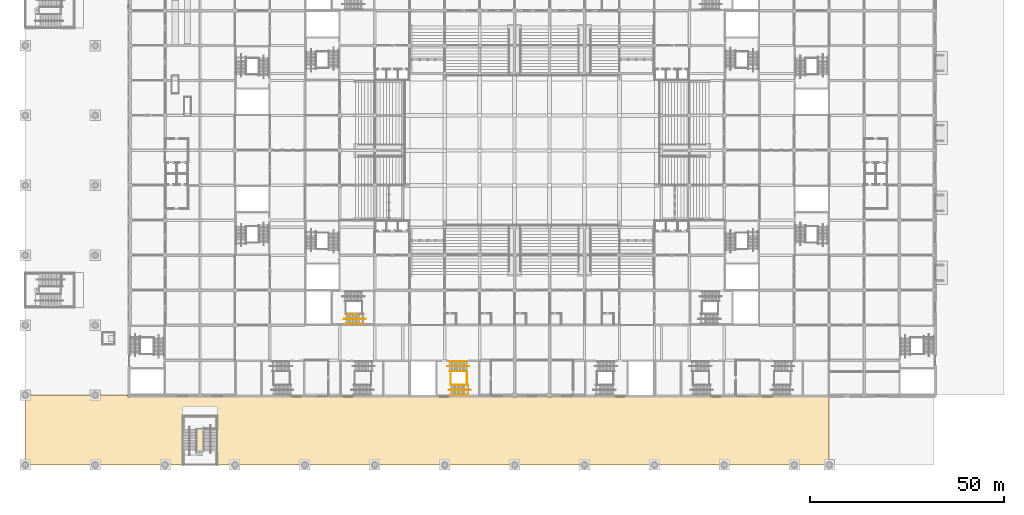
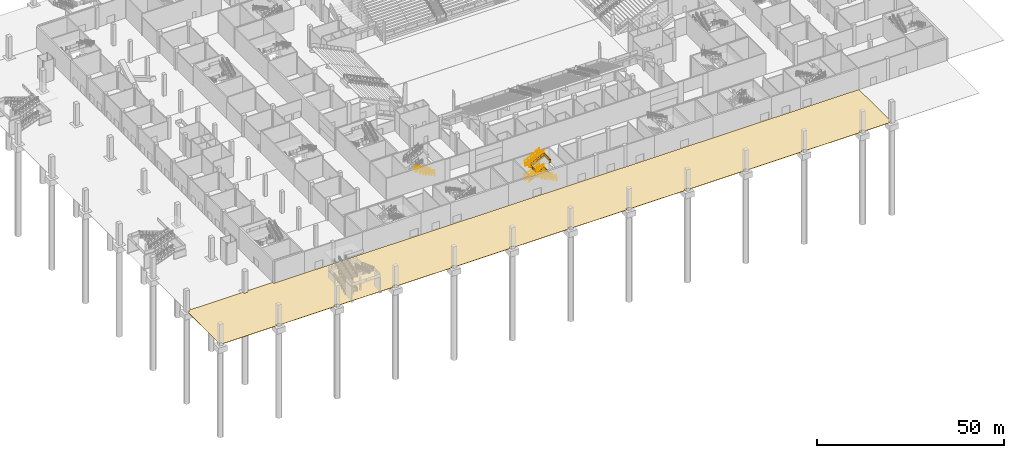
# One storey, part 58 of 92: 18 railings, 1 covering.
"""IFC4 building model written with IfcOpenShell, lengths in metres."""

from ifc_helpers import new_model, si_unit, direction, frame, origin, origin_2d, place, context, subcontext, project, spatial, polyline, circle, outline, extrude, material, layer, layer_set, type_object, element, save


model = new_model("IFC4")

# Units and contexts
model_context = context("Model", 3, precision=1e-05, world=origin(), true_north=direction((0.0, 1.0)))
body_context = subcontext(model_context, "Body", "Model", "MODEL_VIEW")
ifc_project = project(units=[si_unit("LENGTHUNIT", "METRE"), si_unit("AREAUNIT", "SQUARE_METRE"), si_unit("VOLUMEUNIT", "CUBIC_METRE"), si_unit("PLANEANGLEUNIT", "RADIAN"), si_unit("MASSUNIT", "GRAM", prefix="KILO")], contexts=[model_context])

# Site, building, storey
site_placement = place(None, origin())
site = spatial("IfcSite", under=ifc_project, at=site_placement, CompositionType="ELEMENT")
building_placement = place(site_placement, origin())
building = spatial("IfcBuilding", under=site, at=building_placement, Name="Silverbay Arena", CompositionType="ELEMENT")
storey_placement = place(building_placement, origin())
storey = spatial("IfcBuildingStorey", under=building, at=storey_placement, Name="L00", CompositionType="ELEMENT", Elevation=0.0)

# Covering
ifc_material_1 = material(Name="Granite paving slabs", Category="masonry")
ifc_layer = layer(ifc_material_1, 0.10009765625)
ifc_layer_set = layer_set([ifc_layer], Name="Granite paving slabs")
covering_type = type_object("IfcCoveringType", Name="Granite paving 100", PredefinedType="FLOORING", material=ifc_layer_set)
covering_placement = place(storey_placement, frame((0.0, 0.0, -0.10009765625)))
element("IfcCovering", 1, at=covering_placement, inside=storey, type_object=covering_type, Name="Paving south colonnade undercroft", PredefinedType="FLOORING", context=body_context, shape_type="SweptSolid", body=[
    extrude(outline(polyline([(198.60009765625, 0.0), (198.60009765625, 0.60009765625), (197.39990234375, 0.60009765625), (197.39990234375, 0.0), (180.60009765625, 0.0), (180.60009765625, 0.60009765625), (179.39990234375, 0.60009765625), (179.39990234375, 0.0), (162.60009765625, 0.0), (162.60009765625, 0.60009765625), (161.39990234375, 0.60009765625), (161.39990234375, 0.0), (144.60009765625, 0.0), (144.60009765625, 0.60009765625), (143.39990234375, 0.60009765625), (143.39990234375, 0.0), (126.60009765625, 0.0), (126.60009765625, 0.60009765625), (125.39990234375, 0.60009765625), (125.39990234375, 0.0), (108.60009765625, 0.0), (108.60009765625, 0.60009765625), (107.39990234375, 0.60009765625), (107.39990234375, 0.0), (90.60009765625, 0.0), (90.60009765625, 0.60009765625), (89.39990234375, 0.60009765625), (89.39990234375, 0.0), (72.60009765625, 0.0), (72.60009765625, 0.60009765625), (71.39990234375, 0.60009765625), (71.39990234375, 0.0), (54.60009765625, 0.0), (54.60009765625, 0.60009765625), (53.39990234375, 0.60009765625), (53.39990234375, 0.0), (36.60009765625, 0.0), (36.60009765625, 0.60009765625), (35.39990234375, 0.60009765625), (35.39990234375, 0.0), (18.60009765625, 0.0), (18.60009765625, 0.60009765625), (17.39990234375, 0.60009765625), (17.39990234375, 0.0), (0.60009765625, 0.0), (0.60009765625, 0.60009765625), (0.0, 0.60009765625), (0.0, 17.39990234375), (0.60009765625, 17.39990234375), (0.60009765625, 18.0), (17.39990234375, 18.0), (17.39990234375, 17.39990234375), (18.60009765625, 17.39990234375), (18.60009765625, 18.0), (26.5, 18.0), (26.5, 17.5), (125.5, 17.5), (126.5, 17.5), (134.5, 17.5), (135.5, 17.5), (207.0, 17.5), (207.0, 0.60009765625), (206.39990234375, 0.60009765625), (206.39990234375, 0.0), (198.60009765625, 0.0)])), origin(), (0.0, 0.0, 1.0), 0.10009765625),
])

# Railings
ifc_material_2 = material(Name="Stainless steel", Category="steel")
railing_type_1 = type_object("IfcRailingType", Name="Stair guard 1100", PredefinedType="GUARDRAIL", material=ifc_material_2)
railing_1_placement = place(storey_placement, frame((109.2568359375, 24.125, 0.145751953125)))
element("IfcRailing", 2, at=railing_1_placement, inside=storey, type_object=railing_type_1, Name="Stair ST-S2 L00 to L01 flight 1 guard right", PredefinedType="GUARDRAIL", context=body_context, shape_type="SweptSolid", body=[
    extrude(circle(Radius=0.02392578125, at=origin_2d()), frame((0.0, 0.0, 1.076171875), z_axis=(0.899367854138, 0.0, 0.437192706873), x_axis=(0.0, 1.0, 0.0)), (0.0, 0.0, 1.0), 5.00341796875),
    extrude(outline(polyline([(-0.008056640625, 0.046142578125), (0.907958984375, 0.491455078125), (0.907958984375, 1.494384765625), (-0.008056640625, 1.049072265625), (-0.008056640625, 0.046142578125)])), frame((0.0, 0.0029296875, 0.0), z_axis=(0.0, -1.0, 0.0), x_axis=(1.0, 0.0, 0.0)), (0.0, 0.0, 1.0), 0.006103515625),
    extrude(outline(polyline([(-0.008056640625, 0.483642578125), (0.907958984375, 0.928955078125), (0.907958984375, 1.931884765625), (-0.008056640625, 1.486572265625), (-0.008056640625, 0.483642578125)])), frame((0.89990234375, 0.0029296875, 0.0), z_axis=(0.0, -1.0, 0.0), x_axis=(1.0, 0.0, 0.0)), (0.0, 0.0, 1.0), 0.006103515625),
    extrude(outline(polyline([(-0.008056640625, 0.921142578125), (0.907958984375, 1.366455078125), (0.907958984375, 2.369384765625), (-0.008056640625, 1.924072265625), (-0.008056640625, 0.921142578125)])), frame((1.800048828125, 0.0029296875, 0.0), z_axis=(0.0, -1.0, 0.0), x_axis=(1.0, 0.0, 0.0)), (0.0, 0.0, 1.0), 0.006103515625),
    extrude(outline(polyline([(-0.008056640625, 1.358642578125), (0.907958984375, 1.803955078125), (0.907958984375, 2.806884765625), (-0.008056640625, 2.361572265625), (-0.008056640625, 1.358642578125)])), frame((2.699951171875, 0.0029296875, 0.0), z_axis=(0.0, -1.0, 0.0), x_axis=(1.0, 0.0, 0.0)), (0.0, 0.0, 1.0), 0.006103515625),
    extrude(outline(polyline([(-0.008056640625, 1.796142578125), (0.907958984375, 2.241455078125), (0.907958984375, 3.244384765625), (-0.008056640625, 2.799072265625), (-0.008056640625, 1.796142578125)])), frame((3.60009765625, 0.0029296875, 0.0), z_axis=(0.0, -1.0, 0.0), x_axis=(1.0, 0.0, 0.0)), (0.0, 0.0, 1.0), 0.006103515625),
    extrude(circle(Radius=0.02099609375, at=origin_2d()), origin(), (0.0, 0.0, 1.0), 1.052001953125),
    extrude(circle(Radius=0.02099609375, at=origin_2d()), frame((0.89990234375, 0.0, 0.4375)), (0.0, 0.0, 1.0), 1.052001953125),
    extrude(circle(Radius=0.02099609375, at=origin_2d()), frame((1.800048828125, 0.0, 0.875)), (0.0, 0.0, 1.0), 1.052001953125),
    extrude(circle(Radius=0.02099609375, at=origin_2d()), frame((2.699951171875, 0.0, 1.3125)), (0.0, 0.0, 1.0), 1.052001953125),
    extrude(circle(Radius=0.02099609375, at=origin_2d()), frame((3.60009765625, 0.0, 1.75)), (0.0, 0.0, 1.0), 1.052001953125),
    extrude(circle(Radius=0.02099609375, at=origin_2d()), frame((4.5, 0.0, 2.1875)), (0.0, 0.0, 1.0), 1.052001953125),
])
railing_2_placement = place(storey_placement, frame((114.10009765625, 20.574951171875, 2.479248046875)))
element("IfcRailing", 3, at=railing_2_placement, inside=storey, type_object=railing_type_1, Name="Stair ST-S2 L00 to L01 flight 2 guard left", PredefinedType="GUARDRAIL", context=body_context, shape_type="SweptSolid", body=[
    extrude(circle(Radius=0.02392578125, at=origin_2d()), frame((0.0, 0.0, 1.076171875), z_axis=(-0.899367854138, 0.0, 0.437192706873), x_axis=(0.0, -1.0, 0.0)), (0.0, 0.0, 1.0), 5.00341796875),
    extrude(outline(polyline([(-0.008056640625, 0.046142578125), (0.907958984375, 0.491455078125), (0.907958984375, 1.494384765625), (-0.008056640625, 1.049072265625), (-0.008056640625, 0.046142578125)])), frame((0.0, -0.0029296875, 0.0), z_axis=(0.0, 1.0, 0.0), x_axis=(-1.0, 0.0, 0.0)), (0.0, 0.0, 1.0), 0.006103515625),
    extrude(outline(polyline([(-0.008056640625, 0.483642578125), (0.907958984375, 0.928955078125), (0.907958984375, 1.931884765625), (-0.008056640625, 1.486572265625), (-0.008056640625, 0.483642578125)])), frame((-0.89990234375, -0.0029296875, 0.0), z_axis=(0.0, 1.0, 0.0), x_axis=(-1.0, 0.0, 0.0)), (0.0, 0.0, 1.0), 0.006103515625),
    extrude(outline(polyline([(-0.008056640625, 0.921142578125), (0.907958984375, 1.366455078125), (0.907958984375, 2.369384765625), (-0.008056640625, 1.924072265625), (-0.008056640625, 0.921142578125)])), frame((-1.800048828125, -0.0029296875, 0.0), z_axis=(0.0, 1.0, 0.0), x_axis=(-1.0, 0.0, 0.0)), (0.0, 0.0, 1.0), 0.006103515625),
    extrude(outline(polyline([(-0.008056640625, 1.358642578125), (0.907958984375, 1.803955078125), (0.907958984375, 2.806884765625), (-0.008056640625, 2.361572265625), (-0.008056640625, 1.358642578125)])), frame((-2.699951171875, -0.0029296875, 0.0), z_axis=(0.0, 1.0, 0.0), x_axis=(-1.0, 0.0, 0.0)), (0.0, 0.0, 1.0), 0.006103515625),
    extrude(outline(polyline([(-0.008056640625, 1.796142578125), (0.907958984375, 2.241455078125), (0.907958984375, 3.244384765625), (-0.008056640625, 2.799072265625), (-0.008056640625, 1.796142578125)])), frame((-3.60009765625, -0.0029296875, 0.0), z_axis=(0.0, 1.0, 0.0), x_axis=(-1.0, 0.0, 0.0)), (0.0, 0.0, 1.0), 0.006103515625),
    extrude(circle(Radius=0.02099609375, at=origin_2d()), origin(), (0.0, 0.0, 1.0), 1.052001953125),
    extrude(circle(Radius=0.02099609375, at=origin_2d()), frame((-0.89990234375, 0.0, 0.4375)), (0.0, 0.0, 1.0), 1.052001953125),
    extrude(circle(Radius=0.02099609375, at=origin_2d()), frame((-1.800048828125, 0.0, 0.875)), (0.0, 0.0, 1.0), 1.052001953125),
    extrude(circle(Radius=0.02099609375, at=origin_2d()), frame((-2.699951171875, 0.0, 1.3125)), (0.0, 0.0, 1.0), 1.052001953125),
    extrude(circle(Radius=0.02099609375, at=origin_2d()), frame((-3.60009765625, 0.0, 1.75)), (0.0, 0.0, 1.0), 1.052001953125),
    extrude(circle(Radius=0.02099609375, at=origin_2d()), frame((-4.5, 0.0, 2.1875)), (0.0, 0.0, 1.0), 1.052001953125),
])
railing_3_placement = place(storey_placement, frame((109.2568359375, 24.125, 4.8125)))
element("IfcRailing", 4, at=railing_3_placement, inside=storey, type_object=railing_type_1, Name="Stair ST-S2 L00 to L01 flight 3 guard right", PredefinedType="GUARDRAIL", context=body_context, shape_type="SweptSolid", body=[
    extrude(circle(Radius=0.02392578125, at=origin_2d()), frame((0.0, 0.0, 1.076171875), z_axis=(0.899367854138, 0.0, 0.437192706873), x_axis=(0.0, 1.0, 0.0)), (0.0, 0.0, 1.0), 5.00341796875),
    extrude(outline(polyline([(-0.008056640625, 0.046142578125), (0.907958984375, 0.491455078125), (0.907958984375, 1.494384765625), (-0.008056640625, 1.049072265625), (-0.008056640625, 0.046142578125)])), frame((0.0, 0.0029296875, 0.0), z_axis=(0.0, -1.0, 0.0), x_axis=(1.0, 0.0, 0.0)), (0.0, 0.0, 1.0), 0.006103515625),
    extrude(outline(polyline([(-0.008056640625, 0.483642578125), (0.907958984375, 0.928955078125), (0.907958984375, 1.931884765625), (-0.008056640625, 1.486572265625), (-0.008056640625, 0.483642578125)])), frame((0.89990234375, 0.0029296875, 0.0), z_axis=(0.0, -1.0, 0.0), x_axis=(1.0, 0.0, 0.0)), (0.0, 0.0, 1.0), 0.006103515625),
    extrude(outline(polyline([(-0.008056640625, 0.921142578125), (0.907958984375, 1.366455078125), (0.907958984375, 2.369384765625), (-0.008056640625, 1.924072265625), (-0.008056640625, 0.921142578125)])), frame((1.800048828125, 0.0029296875, 0.0), z_axis=(0.0, -1.0, 0.0), x_axis=(1.0, 0.0, 0.0)), (0.0, 0.0, 1.0), 0.006103515625),
    extrude(outline(polyline([(-0.008056640625, 1.358642578125), (0.907958984375, 1.803955078125), (0.907958984375, 2.806884765625), (-0.008056640625, 2.361572265625), (-0.008056640625, 1.358642578125)])), frame((2.699951171875, 0.0029296875, 0.0), z_axis=(0.0, -1.0, 0.0), x_axis=(1.0, 0.0, 0.0)), (0.0, 0.0, 1.0), 0.006103515625),
    extrude(outline(polyline([(-0.008056640625, 1.796142578125), (0.907958984375, 2.241455078125), (0.907958984375, 3.244384765625), (-0.008056640625, 2.799072265625), (-0.008056640625, 1.796142578125)])), frame((3.60009765625, 0.0029296875, 0.0), z_axis=(0.0, -1.0, 0.0), x_axis=(1.0, 0.0, 0.0)), (0.0, 0.0, 1.0), 0.006103515625),
    extrude(circle(Radius=0.02099609375, at=origin_2d()), origin(), (0.0, 0.0, 1.0), 1.052001953125),
    extrude(circle(Radius=0.02099609375, at=origin_2d()), frame((0.89990234375, 0.0, 0.4375)), (0.0, 0.0, 1.0), 1.052001953125),
    extrude(circle(Radius=0.02099609375, at=origin_2d()), frame((1.800048828125, 0.0, 0.875)), (0.0, 0.0, 1.0), 1.052001953125),
    extrude(circle(Radius=0.02099609375, at=origin_2d()), frame((2.699951171875, 0.0, 1.3125)), (0.0, 0.0, 1.0), 1.052001953125),
    extrude(circle(Radius=0.02099609375, at=origin_2d()), frame((3.60009765625, 0.0, 1.75)), (0.0, 0.0, 1.0), 1.052001953125),
    extrude(circle(Radius=0.02099609375, at=origin_2d()), frame((4.5, 0.0, 2.1875)), (0.0, 0.0, 1.0), 1.052001953125),
])
for number, where, name in (
    (5, (113.806884765625, 24.10009765625, 2.333251953125), "Stair ST-S2 L00 to L01 landing 1 guard"),
    (6, (109.550048828125, 24.10009765625, 4.666748046875), "Stair ST-S2 L00 to L01 landing 2 guard"),
):
    element("IfcRailing", number, at=place(storey_placement, frame(where)), inside=storey, type_object=railing_type_1, Name=name, PredefinedType="GUARDRAIL", context=body_context, shape_type="SweptSolid", body=[
        extrude(circle(Radius=0.02392578125, at=origin_2d()), frame((0.0, 0.0, 1.076171875), z_axis=(0.0, -1.0, 0.0), x_axis=(1.0, 0.0, 0.0)), (0.0, 0.0, 1.0), 3.5),
        extrude(outline(polyline([(-0.008056640625, 0.050048828125), (1.174560546875, 0.050048828125), (1.174560546875, 1.052978515625), (-0.008056640625, 1.052978515625), (-0.008056640625, 0.050048828125)])), frame((0.0029296875, 0.0, 0.0), z_axis=(-1.0, 0.0, 0.0), x_axis=(0.0, -1.0, 0.0)), (0.0, 0.0, 1.0), 0.006103515625),
        extrude(outline(polyline([(-0.008056640625, 0.050048828125), (1.174560546875, 0.050048828125), (1.174560546875, 1.052978515625), (-0.008056640625, 1.052978515625), (-0.008056640625, 0.050048828125)])), frame((0.0029296875, -1.166748046875, 0.0), z_axis=(-1.0, 0.0, 0.0), x_axis=(0.0, -1.0, 0.0)), (0.0, 0.0, 1.0), 0.006103515625),
        extrude(outline(polyline([(-0.008056640625, 0.050048828125), (1.174560546875, 0.050048828125), (1.174560546875, 1.052978515625), (-0.008056640625, 1.052978515625), (-0.008056640625, 0.050048828125)])), frame((0.0029296875, -2.333251953125, 0.0), z_axis=(-1.0, 0.0, 0.0), x_axis=(0.0, -1.0, 0.0)), (0.0, 0.0, 1.0), 0.006103515625),
        extrude(circle(Radius=0.02099609375, at=origin_2d()), origin(), (0.0, 0.0, 1.0), 1.052001953125),
        extrude(circle(Radius=0.02099609375, at=origin_2d()), frame((0.0, -1.166748046875, 0.0)), (0.0, 0.0, 1.0), 1.052001953125),
        extrude(circle(Radius=0.02099609375, at=origin_2d()), frame((0.0, -2.333251953125, 0.0)), (0.0, 0.0, 1.0), 1.052001953125),
        extrude(circle(Radius=0.02099609375, at=origin_2d()), frame((0.0, -3.5, 0.0)), (0.0, 0.0, 1.0), 1.052001953125),
    ])
railing_4_placement = place(storey_placement, frame((113.14990234375, 20.550048828125, 7.0)))
element("IfcRailing", 7, at=railing_4_placement, inside=storey, type_object=railing_type_1, Name="Stair ST-S2 L00 to L01 landing 3 guard", PredefinedType="GUARDRAIL", context=body_context, shape_type="SweptSolid", body=[
    extrude(circle(Radius=0.02392578125, at=origin_2d()), frame((0.0, 0.0, 1.076171875), z_axis=(1.0, 0.0, 0.0), x_axis=(0.0, 1.0, 0.0)), (0.0, 0.0, 1.0), 0.60693359375),
    extrude(outline(polyline([(-0.008056640625, 0.050048828125), (0.614990234375, 0.050048828125), (0.614990234375, 1.052978515625), (-0.008056640625, 1.052978515625), (-0.008056640625, 0.050048828125)])), frame((0.0, 0.0029296875, 0.0), z_axis=(0.0, -1.0, 0.0), x_axis=(1.0, 0.0, 0.0)), (0.0, 0.0, 1.0), 0.006103515625),
    extrude(circle(Radius=0.02392578125, at=origin_2d()), frame((0.60693359375, 0.0, 1.076171875), z_axis=(0.0, 1.0, 0.0), x_axis=(-1.0, 0.0, 0.0)), (0.0, 0.0, 1.0), 3.550048828125),
    extrude(outline(polyline([(-0.008056640625, 0.050048828125), (1.19140625, 0.050048828125), (1.19140625, 1.052978515625), (-0.008056640625, 1.052978515625), (-0.008056640625, 0.050048828125)])), frame((0.60400390625, 0.0, 0.0), z_axis=(1.0, 0.0, 0.0), x_axis=(0.0, 1.0, 0.0)), (0.0, 0.0, 1.0), 0.006103515625),
    extrude(outline(polyline([(-0.008056640625, 0.050048828125), (1.19140625, 0.050048828125), (1.19140625, 1.052978515625), (-0.008056640625, 1.052978515625), (-0.008056640625, 0.050048828125)])), frame((0.60400390625, 1.183349609375, 0.0), z_axis=(1.0, 0.0, 0.0), x_axis=(0.0, 1.0, 0.0)), (0.0, 0.0, 1.0), 0.006103515625),
    extrude(outline(polyline([(-0.008056640625, 0.050048828125), (1.19140625, 0.050048828125), (1.19140625, 1.052978515625), (-0.008056640625, 1.052978515625), (-0.008056640625, 0.050048828125)])), frame((0.60400390625, 2.36669921875, 0.0), z_axis=(1.0, 0.0, 0.0), x_axis=(0.0, 1.0, 0.0)), (0.0, 0.0, 1.0), 0.006103515625),
    extrude(circle(Radius=0.02099609375, at=origin_2d()), origin(), (0.0, 0.0, 1.0), 1.052001953125),
    extrude(circle(Radius=0.02099609375, at=origin_2d()), frame((0.60693359375, 0.0, 0.0)), (0.0, 0.0, 1.0), 1.052001953125),
    extrude(circle(Radius=0.02099609375, at=origin_2d()), frame((0.60693359375, 1.183349609375, 0.0)), (0.0, 0.0, 1.0), 1.052001953125),
    extrude(circle(Radius=0.02099609375, at=origin_2d()), frame((0.60693359375, 2.36669921875, 0.0)), (0.0, 0.0, 1.0), 1.052001953125),
    extrude(circle(Radius=0.02099609375, at=origin_2d()), frame((0.60693359375, 3.550048828125, 0.0)), (0.0, 0.0, 1.0), 1.052001953125),
])
ifc_material_3 = material(Name="Stainless steel", Category="steel")
railing_type_2 = type_object("IfcRailingType", Name="Stair handrail 900", PredefinedType="HANDRAIL", material=ifc_material_3)
for number, where, name in (
    (8, (109.2568359375, 26.64990234375, 0.145751953125), "Stair ST-S2 L00 to L01 flight 1 handrail left"),
    (9, (109.2568359375, 24.1640625, 0.145751953125), "Stair ST-S2 L00 to L01 flight 1 handrail right"),
):
    element("IfcRailing", number, at=place(storey_placement, frame(where)), inside=storey, type_object=railing_type_2, Name=name, PredefinedType="HANDRAIL", context=body_context, shape_type="SweptSolid", body=[
        extrude(circle(Radius=0.02392578125, at=origin_2d()), frame((0.0, 0.0, 0.8759765625), z_axis=(0.899367854138, 0.0, 0.437192706873), x_axis=(0.0, 1.0, 0.0)), (0.0, 0.0, 1.0), 5.00341796875),
        extrude(circle(Radius=0.02099609375, at=origin_2d()), origin(), (0.0, 0.0, 1.0), 0.851806640625),
        extrude(circle(Radius=0.02099609375, at=origin_2d()), frame((0.89990234375, 0.0, 0.4375)), (0.0, 0.0, 1.0), 0.851806640625),
        extrude(circle(Radius=0.02099609375, at=origin_2d()), frame((1.800048828125, 0.0, 0.875)), (0.0, 0.0, 1.0), 0.851806640625),
        extrude(circle(Radius=0.02099609375, at=origin_2d()), frame((2.699951171875, 0.0, 1.3125)), (0.0, 0.0, 1.0), 0.851806640625),
        extrude(circle(Radius=0.02099609375, at=origin_2d()), frame((3.60009765625, 0.0, 1.75)), (0.0, 0.0, 1.0), 0.851806640625),
        extrude(circle(Radius=0.02099609375, at=origin_2d()), frame((4.5, 0.0, 2.1875)), (0.0, 0.0, 1.0), 0.851806640625),
    ])
railing_5_placement = place(storey_placement, frame((108.656982421875, 25.39990234375, 0.0)))
element("IfcRailing", 10, at=railing_5_placement, inside=storey, type_object=railing_type_2, Name="Stair ST-S2 L00 to L01 flight 1 central handrail", PredefinedType="HANDRAIL", context=body_context, shape_type="SweptSolid", body=[
    extrude(circle(Radius=0.02392578125, at=origin_2d()), frame((0.0, 0.0, 0.8759765625), z_axis=(0.971726487806, 0.0, 0.23610936639), x_axis=(0.0, 1.0, 0.0)), (0.0, 0.0, 1.0), 0.6171875),
    extrude(circle(Radius=0.02392578125, at=origin_2d()), frame((0.599853515625, 0.0, 1.021484375), z_axis=(0.899367854138, 0.0, 0.437192706873), x_axis=(0.0, 1.0, 0.0)), (0.0, 0.0, 1.0), 5.00341796875),
    extrude(circle(Radius=0.02392578125, at=origin_2d()), frame((5.099853515625, 0.0, 3.208984375), z_axis=(1.0, 0.0, 0.0), x_axis=(0.0, 1.0, 0.0)), (0.0, 0.0, 1.0), 0.60009765625),
    extrude(circle(Radius=0.02099609375, at=origin_2d()), origin(), (0.0, 0.0, 1.0), 0.851806640625),
    extrude(circle(Radius=0.02099609375, at=origin_2d()), frame((0.599853515625, 0.0, 0.145751953125)), (0.0, 0.0, 1.0), 0.851806640625),
    extrude(circle(Radius=0.02099609375, at=origin_2d()), frame((1.499755859375, 0.0, 0.583251953125)), (0.0, 0.0, 1.0), 0.851806640625),
    extrude(circle(Radius=0.02099609375, at=origin_2d()), frame((2.39990234375, 0.0, 1.020751953125)), (0.0, 0.0, 1.0), 0.851806640625),
    extrude(circle(Radius=0.02099609375, at=origin_2d()), frame((3.2998046875, 0.0, 1.458251953125)), (0.0, 0.0, 1.0), 0.851806640625),
    extrude(circle(Radius=0.02099609375, at=origin_2d()), frame((4.199951171875, 0.0, 1.895751953125)), (0.0, 0.0, 1.0), 0.851806640625),
    extrude(circle(Radius=0.02099609375, at=origin_2d()), frame((5.099853515625, 0.0, 2.333251953125)), (0.0, 0.0, 1.0), 0.851806640625),
    extrude(circle(Radius=0.02099609375, at=origin_2d()), frame((5.699951171875, 0.0, 2.333251953125)), (0.0, 0.0, 1.0), 0.851806640625),
])
for number, where, name in (
    (11, (114.10009765625, 20.535888671875, 2.479248046875), "Stair ST-S2 L00 to L01 flight 2 handrail left"),
    (12, (114.10009765625, 18.050048828125, 2.479248046875), "Stair ST-S2 L00 to L01 flight 2 handrail right"),
):
    element("IfcRailing", number, at=place(storey_placement, frame(where)), inside=storey, type_object=railing_type_2, Name=name, PredefinedType="HANDRAIL", context=body_context, shape_type="SweptSolid", body=[
        extrude(circle(Radius=0.02392578125, at=origin_2d()), frame((0.0, 0.0, 0.8759765625), z_axis=(-0.899367854138, 0.0, 0.437192706873), x_axis=(0.0, -1.0, 0.0)), (0.0, 0.0, 1.0), 5.00341796875),
        extrude(circle(Radius=0.02099609375, at=origin_2d()), origin(), (0.0, 0.0, 1.0), 0.851806640625),
        extrude(circle(Radius=0.02099609375, at=origin_2d()), frame((-0.89990234375, 0.0, 0.4375)), (0.0, 0.0, 1.0), 0.851806640625),
        extrude(circle(Radius=0.02099609375, at=origin_2d()), frame((-1.800048828125, 0.0, 0.875)), (0.0, 0.0, 1.0), 0.851806640625),
        extrude(circle(Radius=0.02099609375, at=origin_2d()), frame((-2.699951171875, 0.0, 1.3125)), (0.0, 0.0, 1.0), 0.851806640625),
        extrude(circle(Radius=0.02099609375, at=origin_2d()), frame((-3.60009765625, 0.0, 1.75)), (0.0, 0.0, 1.0), 0.851806640625),
        extrude(circle(Radius=0.02099609375, at=origin_2d()), frame((-4.5, 0.0, 2.1875)), (0.0, 0.0, 1.0), 0.851806640625),
    ])
railing_6_placement = place(storey_placement, frame((114.699951171875, 19.300048828125, 2.333251953125)))
element("IfcRailing", 13, at=railing_6_placement, inside=storey, type_object=railing_type_2, Name="Stair ST-S2 L00 to L01 flight 2 central handrail", PredefinedType="HANDRAIL", context=body_context, shape_type="SweptSolid", body=[
    extrude(circle(Radius=0.02392578125, at=origin_2d()), frame((0.0, 0.0, 0.8759765625), z_axis=(-0.971635685089, 0.0, 0.236482759334), x_axis=(0.0, -1.0, 0.0)), (0.0, 0.0, 1.0), 0.617431640625),
    extrude(circle(Radius=0.02392578125, at=origin_2d()), frame((-0.599853515625, 0.0, 1.02197265625), z_axis=(-0.899367854138, 0.0, 0.437192706873), x_axis=(0.0, -1.0, 0.0)), (0.0, 0.0, 1.0), 5.00341796875),
    extrude(circle(Radius=0.02392578125, at=origin_2d()), frame((-5.099853515625, 0.0, 3.20947265625), z_axis=(-1.0, 0.0, 0.0), x_axis=(0.0, -1.0, 0.0)), (0.0, 0.0, 1.0), 0.60009765625),
    extrude(circle(Radius=0.02099609375, at=origin_2d()), origin(), (0.0, 0.0, 1.0), 0.851806640625),
    extrude(circle(Radius=0.02099609375, at=origin_2d()), frame((-0.599853515625, 0.0, 0.14599609375)), (0.0, 0.0, 1.0), 0.851806640625),
    extrude(circle(Radius=0.02099609375, at=origin_2d()), frame((-1.499755859375, 0.0, 0.58349609375)), (0.0, 0.0, 1.0), 0.851806640625),
    extrude(circle(Radius=0.02099609375, at=origin_2d()), frame((-2.39990234375, 0.0, 1.02099609375)), (0.0, 0.0, 1.0), 0.851806640625),
    extrude(circle(Radius=0.02099609375, at=origin_2d()), frame((-3.2998046875, 0.0, 1.45849609375)), (0.0, 0.0, 1.0), 0.851806640625),
    extrude(circle(Radius=0.02099609375, at=origin_2d()), frame((-4.199951171875, 0.0, 1.89599609375)), (0.0, 0.0, 1.0), 0.851806640625),
    extrude(circle(Radius=0.02099609375, at=origin_2d()), frame((-5.099853515625, 0.0, 2.33349609375)), (0.0, 0.0, 1.0), 0.851806640625),
    extrude(circle(Radius=0.02099609375, at=origin_2d()), frame((-5.699951171875, 0.0, 2.33349609375)), (0.0, 0.0, 1.0), 0.851806640625),
])
for number, where, name in (
    (14, (109.2568359375, 26.64990234375, 4.8125), "Stair ST-S2 L00 to L01 flight 3 handrail left"),
    (15, (109.2568359375, 24.1640625, 4.8125), "Stair ST-S2 L00 to L01 flight 3 handrail right"),
):
    element("IfcRailing", number, at=place(storey_placement, frame(where)), inside=storey, type_object=railing_type_2, Name=name, PredefinedType="HANDRAIL", context=body_context, shape_type="SweptSolid", body=[
        extrude(circle(Radius=0.02392578125, at=origin_2d()), frame((0.0, 0.0, 0.8759765625), z_axis=(0.899367854138, 0.0, 0.437192706873), x_axis=(0.0, 1.0, 0.0)), (0.0, 0.0, 1.0), 5.00341796875),
        extrude(circle(Radius=0.02099609375, at=origin_2d()), origin(), (0.0, 0.0, 1.0), 0.851806640625),
        extrude(circle(Radius=0.02099609375, at=origin_2d()), frame((0.89990234375, 0.0, 0.4375)), (0.0, 0.0, 1.0), 0.851806640625),
        extrude(circle(Radius=0.02099609375, at=origin_2d()), frame((1.800048828125, 0.0, 0.875)), (0.0, 0.0, 1.0), 0.851806640625),
        extrude(circle(Radius=0.02099609375, at=origin_2d()), frame((2.699951171875, 0.0, 1.3125)), (0.0, 0.0, 1.0), 0.851806640625),
        extrude(circle(Radius=0.02099609375, at=origin_2d()), frame((3.60009765625, 0.0, 1.75)), (0.0, 0.0, 1.0), 0.851806640625),
        extrude(circle(Radius=0.02099609375, at=origin_2d()), frame((4.5, 0.0, 2.1875)), (0.0, 0.0, 1.0), 0.851806640625),
    ])
railing_7_placement = place(storey_placement, frame((108.656982421875, 25.39990234375, 4.666748046875)))
element("IfcRailing", 16, at=railing_7_placement, inside=storey, type_object=railing_type_2, Name="Stair ST-S2 L00 to L01 flight 3 central handrail", PredefinedType="HANDRAIL", context=body_context, shape_type="SweptSolid", body=[
    extrude(circle(Radius=0.02392578125, at=origin_2d()), frame((0.0, 0.0, 0.8759765625), z_axis=(0.971726487806, 0.0, 0.23610936639), x_axis=(0.0, 1.0, 0.0)), (0.0, 0.0, 1.0), 0.6171875),
    extrude(circle(Radius=0.02392578125, at=origin_2d()), frame((0.599853515625, 0.0, 1.021484375), z_axis=(0.899367854138, 0.0, 0.437192706873), x_axis=(0.0, 1.0, 0.0)), (0.0, 0.0, 1.0), 5.00341796875),
    extrude(circle(Radius=0.02392578125, at=origin_2d()), frame((5.099853515625, 0.0, 3.208984375), z_axis=(1.0, 0.0, 0.0), x_axis=(0.0, 1.0, 0.0)), (0.0, 0.0, 1.0), 0.60009765625),
    extrude(circle(Radius=0.02099609375, at=origin_2d()), origin(), (0.0, 0.0, 1.0), 0.851806640625),
    extrude(circle(Radius=0.02099609375, at=origin_2d()), frame((0.599853515625, 0.0, 0.145751953125)), (0.0, 0.0, 1.0), 0.851806640625),
    extrude(circle(Radius=0.02099609375, at=origin_2d()), frame((1.499755859375, 0.0, 0.583251953125)), (0.0, 0.0, 1.0), 0.851806640625),
    extrude(circle(Radius=0.02099609375, at=origin_2d()), frame((2.39990234375, 0.0, 1.020751953125)), (0.0, 0.0, 1.0), 0.851806640625),
    extrude(circle(Radius=0.02099609375, at=origin_2d()), frame((3.2998046875, 0.0, 1.458251953125)), (0.0, 0.0, 1.0), 0.851806640625),
    extrude(circle(Radius=0.02099609375, at=origin_2d()), frame((4.199951171875, 0.0, 1.895751953125)), (0.0, 0.0, 1.0), 0.851806640625),
    extrude(circle(Radius=0.02099609375, at=origin_2d()), frame((5.099853515625, 0.0, 2.333251953125)), (0.0, 0.0, 1.0), 0.851806640625),
    extrude(circle(Radius=0.02099609375, at=origin_2d()), frame((5.699951171875, 0.0, 2.333251953125)), (0.0, 0.0, 1.0), 0.851806640625),
])
for number, where, name in (
    (17, (87.10009765625, 38.8359375, 2.479248046875), "Stair ST-SW1 L00 to L01 flight 2 handrail left"),
    (18, (87.10009765625, 36.35009765625, 2.479248046875), "Stair ST-SW1 L00 to L01 flight 2 handrail right"),
):
    element("IfcRailing", number, at=place(storey_placement, frame(where)), inside=storey, type_object=railing_type_2, Name=name, PredefinedType="HANDRAIL", context=body_context, shape_type="SweptSolid", body=[
        extrude(circle(Radius=0.02392578125, at=origin_2d()), frame((0.0, 0.0, 0.8759765625), z_axis=(-0.899367854138, 0.0, 0.437192706873), x_axis=(0.0, -1.0, 0.0)), (0.0, 0.0, 1.0), 5.00341796875),
        extrude(circle(Radius=0.02099609375, at=origin_2d()), origin(), (0.0, 0.0, 1.0), 0.851806640625),
        extrude(circle(Radius=0.02099609375, at=origin_2d()), frame((-0.89990234375, 0.0, 0.4375)), (0.0, 0.0, 1.0), 0.851806640625),
        extrude(circle(Radius=0.02099609375, at=origin_2d()), frame((-1.800048828125, 0.0, 0.875)), (0.0, 0.0, 1.0), 0.851806640625),
        extrude(circle(Radius=0.02099609375, at=origin_2d()), frame((-2.699951171875, 0.0, 1.3125)), (0.0, 0.0, 1.0), 0.851806640625),
        extrude(circle(Radius=0.02099609375, at=origin_2d()), frame((-3.60009765625, 0.0, 1.75)), (0.0, 0.0, 1.0), 0.851806640625),
        extrude(circle(Radius=0.02099609375, at=origin_2d()), frame((-4.5, 0.0, 2.1875)), (0.0, 0.0, 1.0), 0.851806640625),
    ])
railing_8_placement = place(storey_placement, frame((87.699951171875, 37.60009765625, 2.333251953125)))
element("IfcRailing", 19, at=railing_8_placement, inside=storey, type_object=railing_type_2, Name="Stair ST-SW1 L00 to L01 flight 2 central handrail", PredefinedType="HANDRAIL", context=body_context, shape_type="SweptSolid", body=[
    extrude(circle(Radius=0.02392578125, at=origin_2d()), frame((0.0, 0.0, 0.8759765625), z_axis=(-0.971635685089, 0.0, 0.236482759334), x_axis=(0.0, -1.0, 0.0)), (0.0, 0.0, 1.0), 0.617431640625),
    extrude(circle(Radius=0.02392578125, at=origin_2d()), frame((-0.599853515625, 0.0, 1.02197265625), z_axis=(-0.899367854138, 0.0, 0.437192706873), x_axis=(0.0, -1.0, 0.0)), (0.0, 0.0, 1.0), 5.00341796875),
    extrude(circle(Radius=0.02392578125, at=origin_2d()), frame((-5.099853515625, 0.0, 3.20947265625), z_axis=(-1.0, 0.0, 0.0), x_axis=(0.0, -1.0, 0.0)), (0.0, 0.0, 1.0), 0.60009765625),
    extrude(circle(Radius=0.02099609375, at=origin_2d()), origin(), (0.0, 0.0, 1.0), 0.851806640625),
    extrude(circle(Radius=0.02099609375, at=origin_2d()), frame((-0.599853515625, 0.0, 0.14599609375)), (0.0, 0.0, 1.0), 0.851806640625),
    extrude(circle(Radius=0.02099609375, at=origin_2d()), frame((-1.499755859375, 0.0, 0.58349609375)), (0.0, 0.0, 1.0), 0.851806640625),
    extrude(circle(Radius=0.02099609375, at=origin_2d()), frame((-2.39990234375, 0.0, 1.02099609375)), (0.0, 0.0, 1.0), 0.851806640625),
    extrude(circle(Radius=0.02099609375, at=origin_2d()), frame((-3.2998046875, 0.0, 1.45849609375)), (0.0, 0.0, 1.0), 0.851806640625),
    extrude(circle(Radius=0.02099609375, at=origin_2d()), frame((-4.199951171875, 0.0, 1.89599609375)), (0.0, 0.0, 1.0), 0.851806640625),
    extrude(circle(Radius=0.02099609375, at=origin_2d()), frame((-5.099853515625, 0.0, 2.33349609375)), (0.0, 0.0, 1.0), 0.851806640625),
    extrude(circle(Radius=0.02099609375, at=origin_2d()), frame((-5.699951171875, 0.0, 2.33349609375)), (0.0, 0.0, 1.0), 0.851806640625),
])

save(model, "model.ifc")
